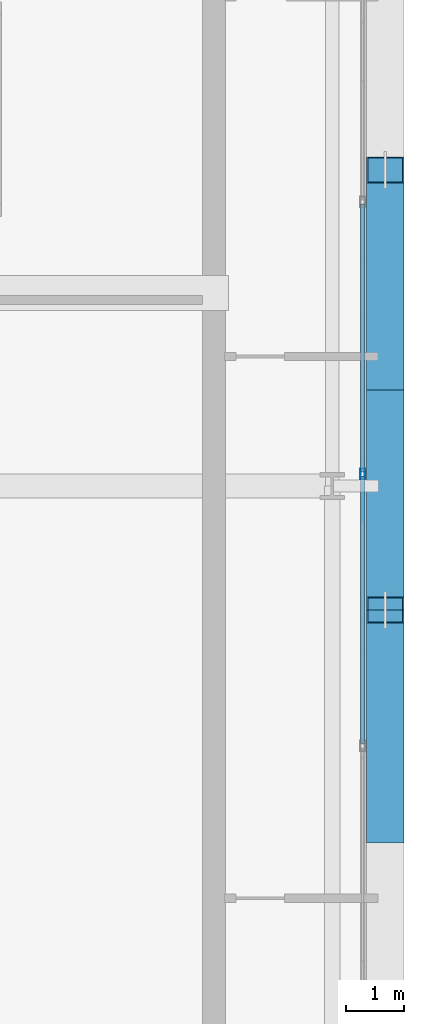
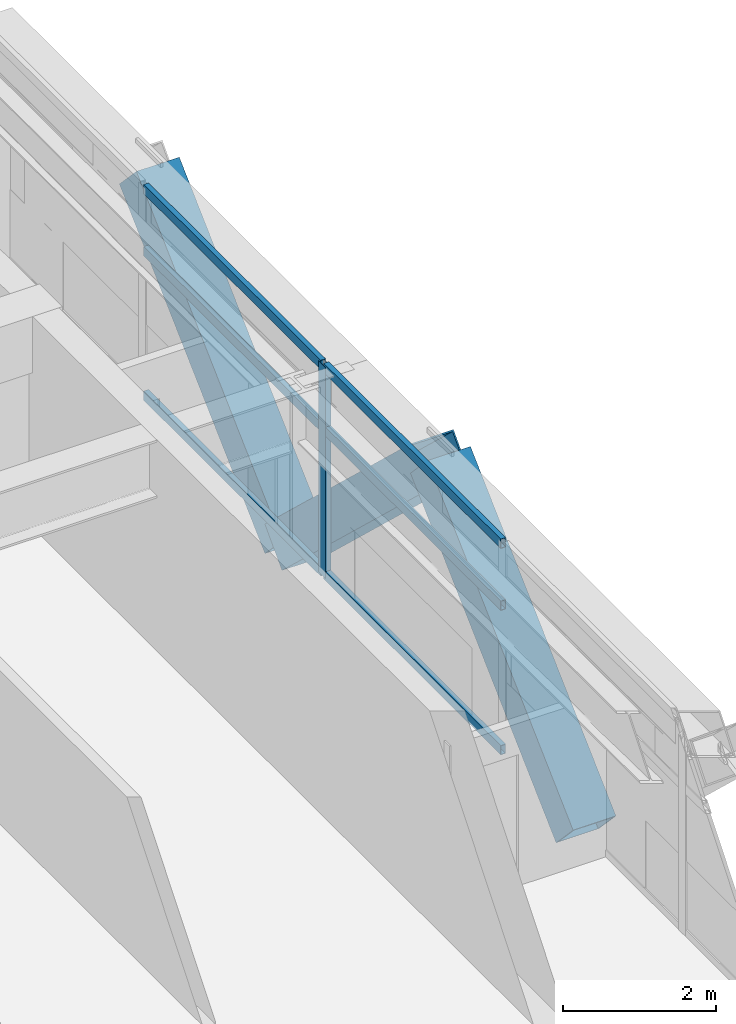
# One storey, part 13 of 29: 10 members, 1 element without a shape of its own.
"""IFC4 building model written with IfcOpenShell, lengths in metres."""

from ifc_helpers import new_model, si_unit, direction, frame, origin, origin_2d, place, context, subcontext, project, spatial, hollow_rectangle, extrude, source, transform, mapped, material, layer, layer_set, material_profile, profile_set, type_object, element, aggregate, save


model = new_model("IFC4")

# Units and contexts
model_context = context("Model", 3, precision=1e-05, world=origin(), true_north=direction((0.0, 1.0)))
body_context = subcontext(model_context, "Body", "Model", "MODEL_VIEW")
ifc_project = project(units=[si_unit("LENGTHUNIT", "METRE"), si_unit("AREAUNIT", "SQUARE_METRE"), si_unit("VOLUMEUNIT", "CUBIC_METRE"), si_unit("PLANEANGLEUNIT", "RADIAN"), si_unit("MASSUNIT", "GRAM", prefix="KILO")], contexts=[model_context])

# Site, building, storey
site_placement = place(None, origin())
site = spatial("IfcSite", under=ifc_project, at=site_placement, CompositionType="ELEMENT")
building_placement = place(site_placement, origin())
building = spatial("IfcBuilding", under=site, at=building_placement, Name="Ocotamira Hotel", CompositionType="ELEMENT")
storey_placement = place(building_placement, frame((0.0, 0.0, 236.39990234375)))
storey = spatial("IfcBuildingStorey", under=building, at=storey_placement, Name="L59", CompositionType="ELEMENT", Elevation=236.39990234375)

# Members
ifc_material_1 = material(Name="Pale-metal coated steel ASTM A913 Grade 65", Category="steel")
ifc_material_profile_1 = material_profile(ifc_material_1, hollow_rectangle(XDim=0.64990234375, YDim=0.64990234375, WallThickness=0.02197265625, at=origin_2d()), Name="BOX650X650X22")
ifc_profile_set_1 = profile_set([ifc_material_profile_1], Name="Pale-metal coated steel ASTM A913 Grade 65")
member_type_1 = type_object("IfcMemberType", Name="MEM-EXO-BOX650", PredefinedType="BRACE", material=ifc_profile_set_1)
shared_shape_1 = source(origin(), body_context, "Body", "SweptSolid", [
    extrude(hollow_rectangle(XDim=0.64990234375, YDim=0.64990234375, WallThickness=0.02197265625, at=origin_2d()), origin(), (0.0, 0.0, 1.0), 5.24658203125),
])
for number, where, z_axis, x_axis, name in (
    (1, (55.969970703125, 22.183349609375, -0.469970703125), (0.0, 0.727442733726, 0.686168397078), (-1.0, 0.0, 0.0), "L59 Exoskeleton Diagrid E1.1"),
    (2, (55.969970703125, 29.816650390625, -0.469970703125), (0.0, -0.727442733726, 0.686168397078), (1.0, 0.0, 0.0), "L59 Exoskeleton Diagrid E1.2"),
    (3, (55.969970703125, 29.816650390625, -0.469970703125), (0.0, 0.727442733726, 0.686168397078), (-1.0, 0.0, 0.0), "L59 Exoskeleton Diagrid E2.1"),
):
    element("IfcMember", number, at=place(storey_placement, frame(where, z_axis=z_axis, x_axis=x_axis)), inside=storey, type_object=member_type_1, Name=name, PredefinedType="BRACE", context=body_context, shape_type="MappedRepresentation", body=[
        mapped(shared_shape_1, transform((0.0, 0.0, 0.0), scale=1.0)),
    ])

# Curtain wall, members
ifc_material_2 = material(Name="Anodised pale-metal aluminium and solar glass", Category="aluminium")
ifc_layer = layer(ifc_material_2, 0.239990234375)
ifc_layer_set = layer_set([ifc_layer], Name="Anodised pale-metal aluminium and solar glass")
curtain_wall_type = type_object("IfcCurtainWallType", Name="CW-SYS5-SKY", PredefinedType="NOTDEFINED", material=ifc_layer_set)
curtain_wall_placement = place(storey_placement, origin())
curtain_wall = element("IfcCurtainWall", 4, at=curtain_wall_placement, inside=storey, type_object=curtain_wall_type, Name="L59 Curtain Wall CW-5 CW-L59-E", PredefinedType="NOTDEFINED")
ifc_material_3 = material(Name="Anodised pale-metal aluminium 6063-T6", Category="aluminium")
ifc_material_profile_2 = material_profile(ifc_material_3, hollow_rectangle(XDim=0.074951171875, YDim=0.14990234375, WallThickness=0.006103515625, at=origin_2d()), Name="HSS150X75X6")
ifc_profile_set_2 = profile_set([ifc_material_profile_2], Name="Anodised pale-metal aluminium 6063-T6")
member_type_2 = type_object("IfcMemberType", Name="CWT-150X75", PredefinedType="USERDEFINED", material=ifc_profile_set_2)
shared_shape_2 = source(origin(), body_context, "Body", "SweptSolid", [
    extrude(hollow_rectangle(XDim=0.074951171875, YDim=0.14990234375, WallThickness=0.006103515625, at=origin_2d()), origin(), (0.0, 0.0, 1.0), 4.64013671875),
])
member_1_placement = place(storey_placement, frame((55.580078125, 23.679931640625, 0.03759765625), z_axis=(0.0, 1.0, 0.0), x_axis=(-1.0, 0.0, 0.0)))
member_1 = element("IfcMember", 5, at=member_1_placement, type_object=member_type_2, Name="CW-5 transom 3.1", ObjectType="TRANSOM", PredefinedType="USERDEFINED", context=body_context, shape_type="MappedRepresentation", body=[
    mapped(shared_shape_2, transform((0.0, 0.0, 0.0), scale=1.0)),
])
member_2_placement = place(storey_placement, frame((55.580078125, 23.679931640625, 2.35009765625), z_axis=(0.0, 1.0, 0.0), x_axis=(-1.0, 0.0, 0.0)))
member_2 = element("IfcMember", 6, at=member_2_placement, type_object=member_type_2, Name="CW-5 transom 3.2", ObjectType="TRANSOM", PredefinedType="USERDEFINED", context=body_context, shape_type="MappedRepresentation", body=[
    mapped(shared_shape_2, transform((0.0, 0.0, 0.0), scale=1.0)),
])
member_3_placement = place(storey_placement, frame((55.580078125, 23.679931640625, 3.342529296875), z_axis=(0.0, 1.0, 0.0), x_axis=(-1.0, 0.0, 0.0)))
member_3 = element("IfcMember", 7, at=member_3_placement, type_object=member_type_2, Name="CW-5 transom 3.3", ObjectType="TRANSOM", PredefinedType="USERDEFINED", context=body_context, shape_type="MappedRepresentation", body=[
    mapped(shared_shape_2, transform((0.0, 0.0, 0.0), scale=1.0)),
])
member_4_placement = place(storey_placement, frame((55.580078125, 28.39990234375, 0.03759765625), z_axis=(0.0, 1.0, 0.0), x_axis=(-1.0, 0.0, 0.0)))
member_4 = element("IfcMember", 8, at=member_4_placement, type_object=member_type_2, Name="CW-5 transom 4.1", ObjectType="TRANSOM", PredefinedType="USERDEFINED", context=body_context, shape_type="MappedRepresentation", body=[
    mapped(shared_shape_2, transform((0.0, 0.0, 0.0), scale=1.0)),
])
member_5_placement = place(storey_placement, frame((55.580078125, 28.39990234375, 2.35009765625), z_axis=(0.0, 1.0, 0.0), x_axis=(-1.0, 0.0, 0.0)))
member_5 = element("IfcMember", 9, at=member_5_placement, type_object=member_type_2, Name="CW-5 transom 4.2", ObjectType="TRANSOM", PredefinedType="USERDEFINED", context=body_context, shape_type="MappedRepresentation", body=[
    mapped(shared_shape_2, transform((0.0, 0.0, 0.0), scale=1.0)),
])
member_6_placement = place(storey_placement, frame((55.580078125, 28.39990234375, 3.342529296875), z_axis=(0.0, 1.0, 0.0), x_axis=(-1.0, 0.0, 0.0)))
member_6 = element("IfcMember", 10, at=member_6_placement, type_object=member_type_2, Name="CW-5 transom 4.3", ObjectType="TRANSOM", PredefinedType="USERDEFINED", context=body_context, shape_type="MappedRepresentation", body=[
    mapped(shared_shape_2, transform((0.0, 0.0, 0.0), scale=1.0)),
])
ifc_material_profile_3 = material_profile(ifc_material_3, hollow_rectangle(XDim=0.080078125, YDim=0.179931640625, WallThickness=0.006103515625, at=origin_2d()), Name="HSS180X80X6")
ifc_profile_set_3 = profile_set([ifc_material_profile_3], Name="Anodised pale-metal aluminium 6063-T6")
member_type_3 = type_object("IfcMemberType", Name="CWM-180X75", PredefinedType="MULLION", material=ifc_profile_set_3)
shared_shape_3 = source(origin(), body_context, "Body", "SweptSolid", [
    extrude(hollow_rectangle(XDim=0.080078125, YDim=0.179931640625, WallThickness=0.006103515625, at=origin_2d()), origin(), (0.0, 0.0, 1.0), 3.380126953125),
])
member_7_placement = place(storey_placement, frame((55.580078125, 28.360107421875, 0.0), z_axis=(0.0, 0.0, 1.0), x_axis=(-1.0, 0.0, 0.0)))
member_7 = element("IfcMember", 11, at=member_7_placement, type_object=member_type_3, Name="CW-5 mullion 4", PredefinedType="MULLION", context=body_context, shape_type="MappedRepresentation", body=[
    mapped(shared_shape_3, transform((0.0, 0.0, 0.0), scale=1.0)),
])
aggregate(curtain_wall, [member_7, member_1, member_2, member_3, member_4, member_5, member_6])

save(model, "model.ifc")
